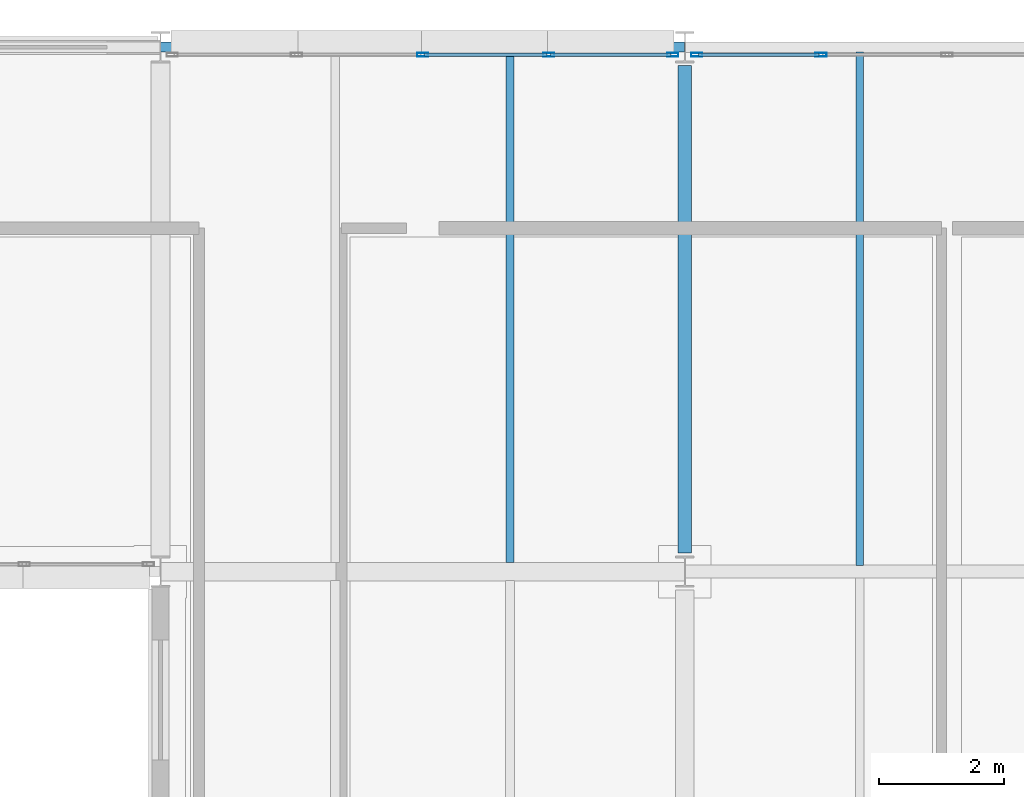
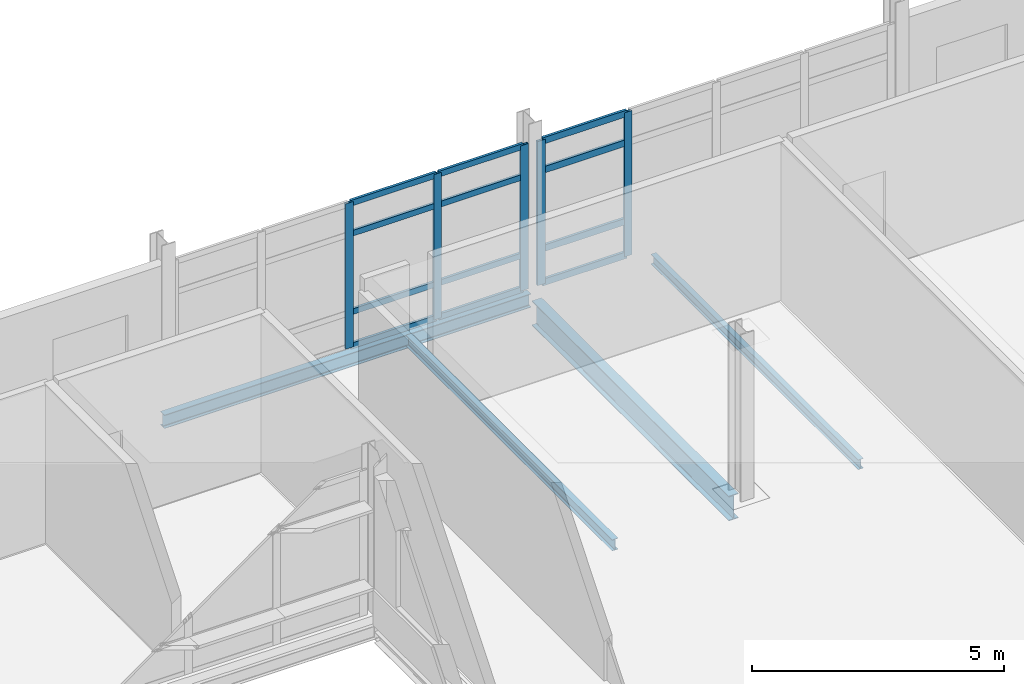
# One storey, part 82 of 151: 17 members, 4 beams, 2 elements without a shape of their own.
"""IFC4 building model written with IfcOpenShell, lengths in metres."""

from ifc_helpers import new_model, si_unit, direction, frame, origin, origin_2d, place, context, subcontext, project, spatial, hollow_rectangle, i_section, extrude, material, material_profile, profile_set, type_object, element, aggregate, save


model = new_model("IFC4")

# Units and contexts
model_context = context("Model", 3, precision=1e-05, world=origin(), true_north=direction((0.0, 1.0)))
body_context = subcontext(model_context, "Body", "Model", "MODEL_VIEW")
ifc_project = project(units=[si_unit("LENGTHUNIT", "METRE"), si_unit("AREAUNIT", "SQUARE_METRE"), si_unit("VOLUMEUNIT", "CUBIC_METRE"), si_unit("PLANEANGLEUNIT", "RADIAN"), si_unit("MASSUNIT", "GRAM", prefix="KILO")], contexts=[model_context])

# Site, building, storey
site_placement = place(None, origin())
site = spatial("IfcSite", under=ifc_project, at=site_placement, CompositionType="ELEMENT")
building_placement = place(site_placement, origin())
building = spatial("IfcBuilding", under=site, at=building_placement, Name="Mersafa Astral City Hall", CompositionType="ELEMENT")
storey_placement = place(building_placement, frame((0.0, 0.0, 9.89990234375)))
storey = spatial("IfcBuildingStorey", under=building, at=storey_placement, Name="L02", CompositionType="ELEMENT", Elevation=9.89990234375)

# Curtain wall, members
ifc_material_1 = material(Name="Anodised bronze aluminium framing", Category="aluminium")
curtain_wall_type_1 = type_object("IfcCurtainWallType", Name="ENV-CW-3", PredefinedType="USERDEFINED", material=ifc_material_1)
curtain_wall_1_placement = place(storey_placement, origin())
curtain_wall_1 = element("IfcCurtainWall", 1, at=curtain_wall_1_placement, inside=storey, type_object=curtain_wall_type_1, Name="L02 Unitised solar curtain wall 128", ObjectType="UNITISED CURTAIN WALL", PredefinedType="USERDEFINED")
ifc_material_profile_1 = material_profile(ifc_material_1, hollow_rectangle(XDim=0.06005859375, YDim=0.179931640625, WallThickness=0.00390625, at=origin_2d()), Name="RHS 60x180x4")
ifc_profile_set_1 = profile_set([ifc_material_profile_1], Name="Anodised bronze aluminium framing")
member_type_1 = type_object("IfcMemberType", Name="ENV-CW-MUL-1", PredefinedType="MULLION", material=ifc_profile_set_1)
member_1_placement = place(storey_placement, frame((111.381103515625, 125.8798828125, -0.001953125), z_axis=(0.0, 0.0, 1.0), x_axis=(0.0, -1.0, 0.0)))
member_1 = element("IfcMember", 2, at=member_1_placement, type_object=member_type_1, Name="CW-3 mullion 4", PredefinedType="MULLION", context=body_context, shape_type="SweptSolid", body=[
    extrude(hollow_rectangle(XDim=0.06005859375, YDim=0.179931640625, WallThickness=0.00390625, at=origin_2d()), origin(), (0.0, 0.0, 1.0), 3.489013671875),
])
member_2_placement = place(storey_placement, frame((109.39208984375, 125.8798828125, -0.001953125), z_axis=(0.0, 0.0, 1.0), x_axis=(0.0, -1.0, 0.0)))
member_2 = element("IfcMember", 3, at=member_2_placement, type_object=member_type_1, Name="CW-3 mullion 5", PredefinedType="MULLION", context=body_context, shape_type="SweptSolid", body=[
    extrude(hollow_rectangle(XDim=0.06005859375, YDim=0.179931640625, WallThickness=0.00390625, at=origin_2d()), origin(), (0.0, 0.0, 1.0), 3.489013671875),
])

curtain_wall_type_2 = type_object("IfcCurtainWallType", Name="ENV-CW-4", PredefinedType="USERDEFINED", material=ifc_material_1)
curtain_wall_2_placement = place(storey_placement, origin())
curtain_wall_2 = element("IfcCurtainWall", 4, at=curtain_wall_2_placement, inside=storey, type_object=curtain_wall_type_2, Name="L02 Unitised solar curtain wall 129", ObjectType="UNITISED CURTAIN WALL", PredefinedType="USERDEFINED")
member_3_placement = place(storey_placement, frame((109.008056640625, 125.8798828125, -0.001953125), z_axis=(0.0, 0.0, 1.0), x_axis=(0.0, -1.0, 0.0)))
member_3 = element("IfcMember", 5, at=member_3_placement, type_object=member_type_1, Name="CW-4 mullion 1", PredefinedType="MULLION", context=body_context, shape_type="SweptSolid", body=[
    extrude(hollow_rectangle(XDim=0.06005859375, YDim=0.179931640625, WallThickness=0.00390625, at=origin_2d()), origin(), (0.0, 0.0, 1.0), 3.51904296875),
])
member_4_placement = place(storey_placement, frame((107.01904296875, 125.8798828125, -0.001953125), z_axis=(0.0, 0.0, 1.0), x_axis=(0.0, -1.0, 0.0)))
member_4 = element("IfcMember", 6, at=member_4_placement, type_object=member_type_1, Name="CW-4 mullion 2", PredefinedType="MULLION", context=body_context, shape_type="SweptSolid", body=[
    extrude(hollow_rectangle(XDim=0.06005859375, YDim=0.179931640625, WallThickness=0.00390625, at=origin_2d()), origin(), (0.0, 0.0, 1.0), 3.51904296875),
])
member_5_placement = place(storey_placement, frame((105.0, 125.8798828125, -0.001953125), z_axis=(0.0, 0.0, 1.0), x_axis=(0.0, -1.0, 0.0)))
member_5 = element("IfcMember", 7, at=member_5_placement, type_object=member_type_1, Name="CW-4 mullion 3", PredefinedType="MULLION", context=body_context, shape_type="SweptSolid", body=[
    extrude(hollow_rectangle(XDim=0.06005859375, YDim=0.179931640625, WallThickness=0.00390625, at=origin_2d()), origin(), (0.0, 0.0, 1.0), 3.51904296875),
])
ifc_material_profile_2 = material_profile(ifc_material_1, hollow_rectangle(XDim=0.06005859375, YDim=0.139892578125, WallThickness=0.00390625, at=origin_2d()), Name="RHS 60x140x4")
ifc_profile_set_2 = profile_set([ifc_material_profile_2], Name="Anodised bronze aluminium framing")
member_type_2 = type_object("IfcMemberType", Name="ENV-CW-TRN-1", PredefinedType="USERDEFINED", material=ifc_profile_set_2)
member_6_placement = place(storey_placement, frame((108.97802734375, 125.8798828125, 0.028076171875), z_axis=(-1.0, 0.0, 0.0), x_axis=(0.0, -1.0, 0.0)))
member_6 = element("IfcMember", 8, at=member_6_placement, type_object=member_type_2, Name="CW-4 transom 1.1", ObjectType="TRANSOM", PredefinedType="USERDEFINED", context=body_context, shape_type="SweptSolid", body=[
    extrude(hollow_rectangle(XDim=0.06005859375, YDim=0.139892578125, WallThickness=0.00390625, at=origin_2d()), origin(), (0.0, 0.0, 1.0), 1.928955078125),
])
member_7_placement = place(storey_placement, frame((108.97802734375, 125.8798828125, 0.85009765625), z_axis=(-1.0, 0.0, 0.0), x_axis=(0.0, -1.0, 0.0)))
member_7 = element("IfcMember", 9, at=member_7_placement, type_object=member_type_2, Name="CW-4 transom 1.2", ObjectType="TRANSOM", PredefinedType="USERDEFINED", context=body_context, shape_type="SweptSolid", body=[
    extrude(hollow_rectangle(XDim=0.06005859375, YDim=0.139892578125, WallThickness=0.00390625, at=origin_2d()), origin(), (0.0, 0.0, 1.0), 1.928955078125),
])
member_8_placement = place(storey_placement, frame((108.97802734375, 125.8798828125, 2.75), z_axis=(-1.0, 0.0, 0.0), x_axis=(0.0, -1.0, 0.0)))
member_8 = element("IfcMember", 10, at=member_8_placement, type_object=member_type_2, Name="CW-4 transom 1.3", ObjectType="TRANSOM", PredefinedType="USERDEFINED", context=body_context, shape_type="SweptSolid", body=[
    extrude(hollow_rectangle(XDim=0.06005859375, YDim=0.139892578125, WallThickness=0.00390625, at=origin_2d()), origin(), (0.0, 0.0, 1.0), 1.928955078125),
])
member_9_placement = place(storey_placement, frame((108.97802734375, 125.8798828125, 3.487060546875), z_axis=(-1.0, 0.0, 0.0), x_axis=(0.0, -1.0, 0.0)))
member_9 = element("IfcMember", 11, at=member_9_placement, type_object=member_type_2, Name="CW-4 transom 1.4", ObjectType="TRANSOM", PredefinedType="USERDEFINED", context=body_context, shape_type="SweptSolid", body=[
    extrude(hollow_rectangle(XDim=0.06005859375, YDim=0.139892578125, WallThickness=0.00390625, at=origin_2d()), origin(), (0.0, 0.0, 1.0), 1.928955078125),
])
member_10_placement = place(storey_placement, frame((106.989013671875, 125.8798828125, 0.028076171875), z_axis=(-1.0, 0.0, 0.0), x_axis=(0.0, -1.0, 0.0)))
member_10 = element("IfcMember", 12, at=member_10_placement, type_object=member_type_2, Name="CW-4 transom 2.1", ObjectType="TRANSOM", PredefinedType="USERDEFINED", context=body_context, shape_type="SweptSolid", body=[
    extrude(hollow_rectangle(XDim=0.06005859375, YDim=0.139892578125, WallThickness=0.00390625, at=origin_2d()), origin(), (0.0, 0.0, 1.0), 1.958984375),
])
member_11_placement = place(storey_placement, frame((106.989013671875, 125.8798828125, 0.85009765625), z_axis=(-1.0, 0.0, 0.0), x_axis=(0.0, -1.0, 0.0)))
member_11 = element("IfcMember", 13, at=member_11_placement, type_object=member_type_2, Name="CW-4 transom 2.2", ObjectType="TRANSOM", PredefinedType="USERDEFINED", context=body_context, shape_type="SweptSolid", body=[
    extrude(hollow_rectangle(XDim=0.06005859375, YDim=0.139892578125, WallThickness=0.00390625, at=origin_2d()), origin(), (0.0, 0.0, 1.0), 1.958984375),
])
member_12_placement = place(storey_placement, frame((106.989013671875, 125.8798828125, 2.75), z_axis=(-1.0, 0.0, 0.0), x_axis=(0.0, -1.0, 0.0)))
member_12 = element("IfcMember", 14, at=member_12_placement, type_object=member_type_2, Name="CW-4 transom 2.3", ObjectType="TRANSOM", PredefinedType="USERDEFINED", context=body_context, shape_type="SweptSolid", body=[
    extrude(hollow_rectangle(XDim=0.06005859375, YDim=0.139892578125, WallThickness=0.00390625, at=origin_2d()), origin(), (0.0, 0.0, 1.0), 1.958984375),
])
member_13_placement = place(storey_placement, frame((106.989013671875, 125.8798828125, 3.487060546875), z_axis=(-1.0, 0.0, 0.0), x_axis=(0.0, -1.0, 0.0)))
member_13 = element("IfcMember", 15, at=member_13_placement, type_object=member_type_2, Name="CW-4 transom 2.4", ObjectType="TRANSOM", PredefinedType="USERDEFINED", context=body_context, shape_type="SweptSolid", body=[
    extrude(hollow_rectangle(XDim=0.06005859375, YDim=0.139892578125, WallThickness=0.00390625, at=origin_2d()), origin(), (0.0, 0.0, 1.0), 1.958984375),
])
aggregate(curtain_wall_2, [member_3, member_4, member_5, member_6, member_7, member_8, member_9, member_10, member_11, member_12, member_13])

# Member
ifc_material_profile_3 = material_profile(ifc_material_1, hollow_rectangle(XDim=0.06005859375, YDim=0.159912109375, WallThickness=0.00390625, at=origin_2d()), Name="RHS 60x160x4")
ifc_profile_set_3 = profile_set([ifc_material_profile_3], Name="Anodised bronze aluminium framing")
member_type_3 = type_object("IfcMemberType", Name="ENV-CW-TRN-2", PredefinedType="USERDEFINED", material=ifc_profile_set_3)
member_14_placement = place(storey_placement, frame((111.35107421875, 125.8798828125, 0.028076171875), z_axis=(-1.0, 0.0, 0.0), x_axis=(0.0, -1.0, 0.0)))
member_14 = element("IfcMember", 16, at=member_14_placement, type_object=member_type_3, Name="CW-3 transom 4.1", ObjectType="TRANSOM", PredefinedType="USERDEFINED", context=body_context, shape_type="SweptSolid", body=[
    extrude(hollow_rectangle(XDim=0.06005859375, YDim=0.159912109375, WallThickness=0.00390625, at=origin_2d()), origin(), (0.0, 0.0, 1.0), 1.928955078125),
])

member_15_placement = place(storey_placement, frame((111.35107421875, 125.8798828125, 0.85009765625), z_axis=(-1.0, 0.0, 0.0), x_axis=(0.0, -1.0, 0.0)))
member_15 = element("IfcMember", 17, at=member_15_placement, type_object=member_type_3, Name="CW-3 transom 4.2", ObjectType="TRANSOM", PredefinedType="USERDEFINED", context=body_context, shape_type="SweptSolid", body=[
    extrude(hollow_rectangle(XDim=0.06005859375, YDim=0.159912109375, WallThickness=0.00390625, at=origin_2d()), origin(), (0.0, 0.0, 1.0), 1.928955078125),
])

member_16_placement = place(storey_placement, frame((111.35107421875, 125.8798828125, 2.75), z_axis=(-1.0, 0.0, 0.0), x_axis=(0.0, -1.0, 0.0)))
member_16 = element("IfcMember", 18, at=member_16_placement, type_object=member_type_3, Name="CW-3 transom 4.3", ObjectType="TRANSOM", PredefinedType="USERDEFINED", context=body_context, shape_type="SweptSolid", body=[
    extrude(hollow_rectangle(XDim=0.06005859375, YDim=0.159912109375, WallThickness=0.00390625, at=origin_2d()), origin(), (0.0, 0.0, 1.0), 1.928955078125),
])

member_17_placement = place(storey_placement, frame((111.35107421875, 125.8798828125, 3.45703125), z_axis=(-1.0, 0.0, 0.0), x_axis=(0.0, -1.0, 0.0)))
member_17 = element("IfcMember", 19, at=member_17_placement, type_object=member_type_3, Name="CW-3 transom 4.4", ObjectType="TRANSOM", PredefinedType="USERDEFINED", context=body_context, shape_type="SweptSolid", body=[
    extrude(hollow_rectangle(XDim=0.06005859375, YDim=0.159912109375, WallThickness=0.00390625, at=origin_2d()), origin(), (0.0, 0.0, 1.0), 1.928955078125),
])

aggregate(curtain_wall_1, [member_1, member_2, member_14, member_15, member_16, member_17])

# Beams
ifc_material_2 = material(Name="Steel S355", Category="steel")
ifc_material_profile_4 = material_profile(ifc_material_2, i_section(OverallWidth=0.219970703125, OverallDepth=0.60009765625, WebThickness=0.011962890625, FlangeThickness=0.01904296875, FilletRadius=0.02392578125, at=origin_2d()), Name="IPE 600")
ifc_profile_set_4 = profile_set([ifc_material_profile_4], Name="Steel S355")
beam_type_1 = type_object("IfcBeamType", Name="STR-BM-IPE600", PredefinedType="BEAM", material=ifc_profile_set_4)
beam_1_placement = place(storey_placement, frame((109.199951171875, 117.89501953125, -0.5), z_axis=(0.0, 1.0, 0.0), x_axis=(-1.0, 0.0, 0.0)))
element("IfcBeam", 20, at=beam_1_placement, inside=storey, type_object=beam_type_1, Name="L02 Primary girder Y 13-14", PredefinedType="BEAM", context=body_context, shape_type="SweptSolid", body=[
    extrude(i_section(OverallWidth=0.219970703125, OverallDepth=0.60009765625, WebThickness=0.011962890625, FlangeThickness=0.01904296875, FilletRadius=0.02392578125, at=origin_2d()), origin(), (0.0, 0.0, 1.0), 7.81005859375),
])
ifc_material_profile_5 = material_profile(ifc_material_2, i_section(OverallWidth=0.1201171875, OverallDepth=0.239990234375, WebThickness=0.006103515625, FlangeThickness=0.009765625, FilletRadius=0.014892578125, at=origin_2d()), Name="IPE 240")
ifc_profile_set_5 = profile_set([ifc_material_profile_5], Name="Steel S355")
beam_type_2 = type_object("IfcBeamType", Name="STR-BM-JOIST-IPE240", PredefinedType="JOIST", material=ifc_profile_set_5)
beam_2_placement = place(storey_placement, frame((112.0, 117.699951171875, -0.31982421875), z_axis=(0.0, 1.0, 0.0), x_axis=(-1.0, 0.0, 0.0)))
element("IfcBeam", 21, at=beam_2_placement, inside=storey, type_object=beam_type_2, Name="L02 Composite secondary floor joist 492", PredefinedType="JOIST", context=body_context, shape_type="SweptSolid", body=[
    extrude(i_section(OverallWidth=0.1201171875, OverallDepth=0.239990234375, WebThickness=0.006103515625, FlangeThickness=0.009765625, FilletRadius=0.014892578125, at=origin_2d()), origin(), (0.0, 0.0, 1.0), 8.219970703125),
])
ifc_material_profile_6 = material_profile(ifc_material_2, i_section(OverallWidth=0.135009765625, OverallDepth=0.27001953125, WebThickness=0.006591796875, FlangeThickness=0.01025390625, FilletRadius=0.014892578125, at=origin_2d()), Name="IPE 270")
ifc_profile_set_6 = profile_set([ifc_material_profile_6], Name="Steel S355")
beam_type_3 = type_object("IfcBeamType", Name="STR-BM-JOIST-IPE270", PredefinedType="JOIST", material=ifc_profile_set_6)
beam_3_placement = place(storey_placement, frame((106.39990234375, 117.7451171875, -0.3349609375), z_axis=(0.0, 1.0, 0.0), x_axis=(-1.0, 0.0, 0.0)))
element("IfcBeam", 22, at=beam_3_placement, inside=storey, type_object=beam_type_3, Name="L02 Composite secondary floor joist 469", PredefinedType="JOIST", context=body_context, shape_type="SweptSolid", body=[
    extrude(i_section(OverallWidth=0.135009765625, OverallDepth=0.27001953125, WebThickness=0.006591796875, FlangeThickness=0.01025390625, FilletRadius=0.014892578125, at=origin_2d()), origin(), (0.0, 0.0, 1.0), 8.179931640625),
])
ifc_material_profile_7 = material_profile(ifc_material_2, i_section(OverallWidth=0.159912109375, OverallDepth=0.330078125, WebThickness=0.007568359375, FlangeThickness=0.011474609375, FilletRadius=0.01806640625, at=origin_2d()), Name="IPE 330")
ifc_profile_set_7 = profile_set([ifc_material_profile_7], Name="Steel S355")
beam_type_4 = type_object("IfcBeamType", Name="STR-BM-SPANDREL-IPE330", PredefinedType="SPANDREL", material=ifc_profile_set_7)
beam_4_placement = place(storey_placement, frame((100.802978515625, 126.0, -0.364990234375), z_axis=(1.0, 0.0, 0.0), x_axis=(0.0, 1.0, 0.0)))
element("IfcBeam", 23, at=beam_4_placement, inside=storey, type_object=beam_type_4, Name="L02 Primary girder X 12-15", PredefinedType="SPANDREL", context=body_context, shape_type="SweptSolid", body=[
    extrude(i_section(OverallWidth=0.159912109375, OverallDepth=0.330078125, WebThickness=0.007568359375, FlangeThickness=0.011474609375, FilletRadius=0.01806640625, at=origin_2d()), origin(), (0.0, 0.0, 1.0), 8.39404296875),
])

save(model, "model.ifc")
